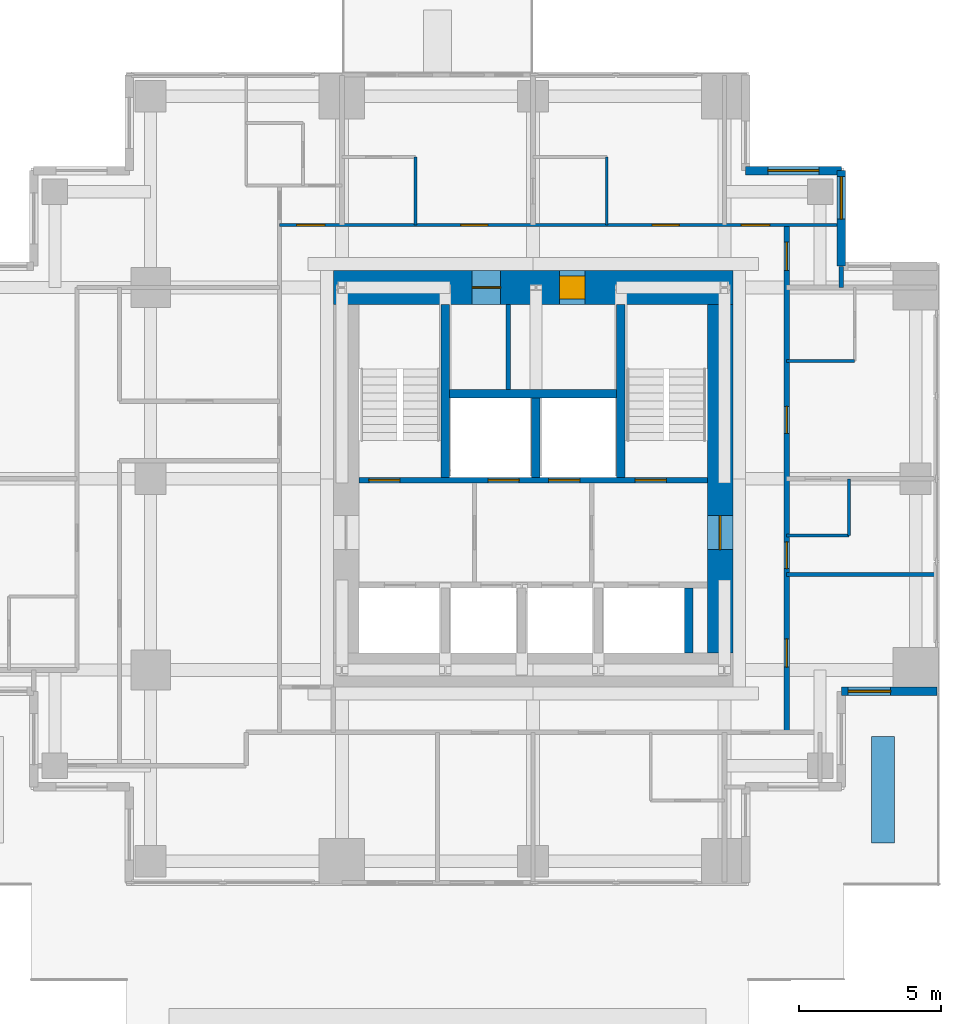
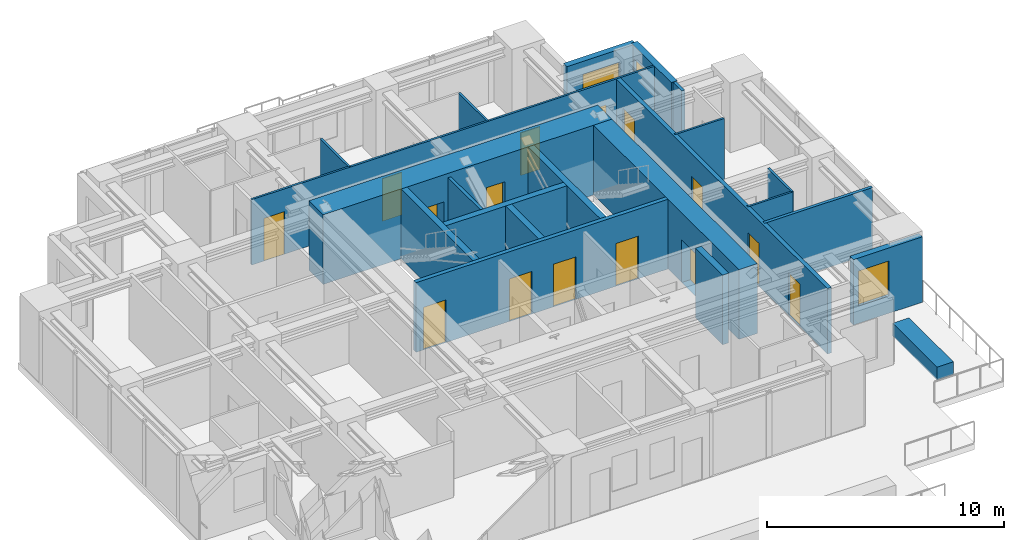
# One storey, part 5 of 7: 22 walls, 15 doors, 3 windows, 18 openings.
"""IFC4 building model written with IfcOpenShell, lengths in metres."""

from ifc_helpers import new_model, si_unit, direction, frame, frame_2d, origin, place, context, subcontext, project, spatial, rectangle, extrude, material, layer, layer_set, type_object, element, fill, save


model = new_model("IFC4")

# Units and contexts
model_context = context("Model", 3, precision=1e-05, world=origin(), true_north=direction((0.0, 1.0)))
body_context = subcontext(model_context, "Body", "Model", "MODEL_VIEW")
ifc_project = project(units=[si_unit("LENGTHUNIT", "METRE"), si_unit("AREAUNIT", "SQUARE_METRE"), si_unit("VOLUMEUNIT", "CUBIC_METRE"), si_unit("PLANEANGLEUNIT", "RADIAN"), si_unit("MASSUNIT", "GRAM", prefix="KILO")], contexts=[model_context])

# Site, building, storey
site_placement = place(None, origin())
site = spatial("IfcSite", under=ifc_project, at=site_placement, CompositionType="ELEMENT")
building_placement = place(site_placement, origin())
building = spatial("IfcBuilding", under=site, at=building_placement, Name="Nyansa Garden Tower", CompositionType="ELEMENT")
storey_placement = place(building_placement, frame((0.0, 0.0, 204.300048828125)))
storey = spatial("IfcBuildingStorey", under=building, at=storey_placement, Name="L55", CompositionType="ELEMENT", Elevation=204.300048828125)

# Wall, openings, doors
ifc_material_1 = material(Name="Concrete C70/85", Category="concrete")
ifc_layer_1 = layer(ifc_material_1, 0.199951171875)
ifc_layer_set_1 = layer_set([ifc_layer_1], Name="Core inner wall CI200")
wall_type_1 = type_object("IfcWallType", Name="Core inner wall CI200", PredefinedType="SHEAR", material=ifc_layer_set_1)
wall_1_placement = place(storey_placement, frame((14.10009765625, 20.199951171875, 0.0), z_axis=(0.0, 0.0, 1.0), x_axis=(1.0, 0.0, 0.0)))
wall_1 = element("IfcWall", 1, at=wall_1_placement, inside=storey, type_object=wall_type_1, Name="Core inner wall L55", PredefinedType="SHEAR", context=body_context, shape_type="SweptSolid", body=[
    extrude(rectangle(XDim=12.2998046875, YDim=0.199951171875, at=frame_2d((6.14990234375, 0.0))), origin(), (0.0, 0.0, 1.0), 3.599853515625),
])
opening_1_placement = place(wall_1_placement, frame((4.56005859375, 0.0, 0.0)))
opening_1 = element("IfcOpeningElement", 2, at=opening_1_placement, cuts=wall_1, Name="Opening LD-B", PredefinedType="OPENING", context=body_context, shape_type="SweptSolid", body=[
    extrude(rectangle(XDim=1.10009765625, YDim=2.199951171875, at=frame_2d((0.550048828125, 1.10009765625))), frame((0.0, 0.10986328125, 0.0), z_axis=(0.0, -1.0, 0.0), x_axis=(1.0, 0.0, 0.0)), (0.0, 0.0, 1.0), 0.219970703125),
])
opening_2_placement = place(wall_1_placement, frame((6.699951171875, 0.0, 0.0)))
opening_2 = element("IfcOpeningElement", 3, at=opening_2_placement, cuts=wall_1, Name="Opening LD-B", PredefinedType="OPENING", context=body_context, shape_type="SweptSolid", body=[
    extrude(rectangle(XDim=1.10009765625, YDim=2.199951171875, at=frame_2d((0.550048828125, 1.10009765625))), frame((0.0, 0.10986328125, 0.0), z_axis=(0.0, -1.0, 0.0), x_axis=(1.0, 0.0, 0.0)), (0.0, 0.0, 1.0), 0.219970703125),
])
opening_3_placement = place(wall_1_placement, frame((0.35009765625, 0.0, 0.0)))
opening_3 = element("IfcOpeningElement", 4, at=opening_3_placement, cuts=wall_1, Name="Opening D05", PredefinedType="OPENING", context=body_context, shape_type="SweptSolid", body=[
    extrude(rectangle(XDim=1.10009765625, YDim=2.199951171875, at=frame_2d((0.550048828125, 1.10009765625))), frame((0.0, 0.10986328125, 0.0), z_axis=(0.0, -1.0, 0.0), x_axis=(1.0, 0.0, 0.0)), (0.0, 0.0, 1.0), 0.219970703125),
])
opening_4_placement = place(wall_1_placement, frame((9.75, 0.0, 0.0)))
opening_4 = element("IfcOpeningElement", 5, at=opening_4_placement, cuts=wall_1, Name="Opening D05", PredefinedType="OPENING", context=body_context, shape_type="SweptSolid", body=[
    extrude(rectangle(XDim=1.10009765625, YDim=2.199951171875, at=frame_2d((0.550048828125, 1.10009765625))), frame((0.0, 0.10986328125, 0.0), z_axis=(0.0, -1.0, 0.0), x_axis=(1.0, 0.0, 0.0)), (0.0, 0.0, 1.0), 0.219970703125),
])
ifc_material_2 = material(Name="Stainless steel centre-opening landing door of the high-rise lift, E 120", Category="steel")
door_type_1 = type_object("IfcDoorType", Name="Lift landing door LD-B 1100x2200", OperationType="DOUBLE_DOOR_SLIDING", PredefinedType="DOOR", material=ifc_material_2)
door_1_placement = place(opening_1_placement, origin())
door_1 = element("IfcDoor", 6, at=door_1_placement, inside=storey, type_object=door_type_1, Name="Landing door B3", OperationType="DOUBLE_DOOR_SLIDING", OverallHeight=2.199951171875, OverallWidth=1.10009765625, PredefinedType="DOOR", context=body_context, shape_type="SweptSolid", body=[
    extrude(rectangle(XDim=1.10009765625, YDim=2.199951171875, at=frame_2d((0.550048828125, 1.10009765625))), frame((0.0, 0.02490234375, 0.0), z_axis=(0.0, -1.0, 0.0), x_axis=(1.0, 0.0, 0.0)), (0.0, 0.0, 1.0), 0.050048828125),
])
fill(opening_1, door_1)
door_2_placement = place(opening_2_placement, origin())
door_2 = element("IfcDoor", 7, at=door_2_placement, inside=storey, type_object=door_type_1, Name="Landing door B4", OperationType="DOUBLE_DOOR_SLIDING", OverallHeight=2.199951171875, OverallWidth=1.10009765625, PredefinedType="DOOR", context=body_context, shape_type="SweptSolid", body=[
    extrude(rectangle(XDim=1.10009765625, YDim=2.199951171875, at=frame_2d((0.550048828125, 1.10009765625))), frame((0.0, 0.02490234375, 0.0), z_axis=(0.0, -1.0, 0.0), x_axis=(1.0, 0.0, 0.0)), (0.0, 0.0, 1.0), 0.050048828125),
])
fill(opening_2, door_2)
ifc_material_3 = material(Name="Steel door, 120 minute fire resisting", Category="steel")
door_type_2 = type_object("IfcDoorType", Name="Stair door D05 1100x2200", OperationType="SINGLE_SWING_LEFT", PredefinedType="DOOR", material=ifc_material_3)
door_3_placement = place(opening_3_placement, origin())
door_3 = element("IfcDoor", 8, at=door_3_placement, inside=storey, type_object=door_type_2, Name="Stair S1 door", OperationType="SINGLE_SWING_LEFT", OverallHeight=2.199951171875, OverallWidth=1.10009765625, PredefinedType="DOOR", context=body_context, shape_type="SweptSolid", body=[
    extrude(rectangle(XDim=1.10009765625, YDim=2.199951171875, at=frame_2d((0.550048828125, 1.10009765625))), frame((0.0, 0.02490234375, 0.0), z_axis=(0.0, -1.0, 0.0), x_axis=(1.0, 0.0, 0.0)), (0.0, 0.0, 1.0), 0.050048828125),
])
fill(opening_3, door_3)
door_4_placement = place(opening_4_placement, origin())
door_4 = element("IfcDoor", 9, at=door_4_placement, inside=storey, type_object=door_type_2, Name="Stair S2 door", OperationType="SINGLE_SWING_LEFT", OverallHeight=2.199951171875, OverallWidth=1.10009765625, PredefinedType="DOOR", context=body_context, shape_type="SweptSolid", body=[
    extrude(rectangle(XDim=1.10009765625, YDim=2.199951171875, at=frame_2d((0.550048828125, 1.10009765625))), frame((0.0, 0.02490234375, 0.0), z_axis=(0.0, -1.0, 0.0), x_axis=(1.0, 0.0, 0.0)), (0.0, 0.0, 1.0), 0.050048828125),
])
fill(opening_4, door_4)

# Walls
ifc_material_4 = material(Name="Concrete C70/85", Category="concrete")
ifc_layer_2 = layer(ifc_material_4, 0.300048828125)
ifc_layer_set_2 = layer_set([ifc_layer_2], Name="Core inner wall CI300")
wall_type_2 = type_object("IfcWallType", Name="Core inner wall CI300", PredefinedType="SHEAR", material=ifc_layer_set_2)
for number, where, z_axis, x_axis, name in (
    (10, (17.14990234375, 20.300048828125, 0.0), (0.0, 0.0, 1.0), (0.0, 1.0, 0.0), "Core inner wall L55"),
    (11, (23.35009765625, 20.300048828125, 0.0), (0.0, 0.0, 1.0), (0.0, 1.0, 0.0), "Core inner wall L55"),
):
    element("IfcWall", number, at=place(storey_placement, frame(where, z_axis=z_axis, x_axis=x_axis)), inside=storey, type_object=wall_type_2, Name=name, PredefinedType="SHEAR", context=body_context, shape_type="SweptSolid", body=[
        extrude(rectangle(XDim=6.099853515625, YDim=0.300048828125, at=frame_2d((3.0498046875, 0.0))), origin(), (0.0, 0.0, 1.0), 3.599853515625),
    ])
wall_2_placement = place(storey_placement, frame((20.35009765625, 20.300048828125, 0.0), z_axis=(0.0, 0.0, 1.0), x_axis=(0.0, 1.0, 0.0)))
element("IfcWall", 12, at=wall_2_placement, inside=storey, type_object=wall_type_2, Name="Core inner wall L55", PredefinedType="SHEAR", context=body_context, shape_type="SweptSolid", body=[
    extrude(rectangle(XDim=2.800048828125, YDim=0.300048828125, at=frame_2d((1.39990234375, 0.0))), origin(), (0.0, 0.0, 1.0), 3.599853515625),
])
wall_3_placement = place(storey_placement, frame((17.300048828125, 23.25, 0.0), z_axis=(0.0, 0.0, 1.0), x_axis=(1.0, 0.0, 0.0)))
element("IfcWall", 13, at=wall_3_placement, inside=storey, type_object=wall_type_2, Name="Core inner wall L55", PredefinedType="SHEAR", context=body_context, shape_type="SweptSolid", body=[
    extrude(rectangle(XDim=5.89990234375, YDim=0.300048828125, at=frame_2d((2.949951171875, 0.0))), origin(), (0.0, 0.0, 1.0), 3.599853515625),
])
wall_4_placement = place(storey_placement, frame((25.75, 14.10009765625, 0.0), z_axis=(0.0, 0.0, 1.0), x_axis=(0.0, 1.0, 0.0)))
element("IfcWall", 14, at=wall_4_placement, inside=storey, type_object=wall_type_2, Name="Core inner wall L55", PredefinedType="SHEAR", context=body_context, shape_type="SweptSolid", body=[
    extrude(rectangle(XDim=2.2998046875, YDim=0.300048828125, at=frame_2d((1.14990234375, 0.0))), origin(), (0.0, 0.0, 1.0), 3.599853515625),
])

# Wall, openings, doors
ifc_material_5 = material(Name="Concrete C80/95", Category="concrete")
ifc_layer_3 = layer(ifc_material_5, 1.199951171875)
ifc_layer_set_3 = layer_set([ifc_layer_3], Name="Core wall CW1200")
wall_type_3 = type_object("IfcWallType", Name="Core wall CW1200", PredefinedType="SHEAR", material=ifc_layer_set_3)
wall_5_placement = place(storey_placement, frame((27.300048828125, 27.0, 0.0), z_axis=(0.0, 0.0, 1.0), x_axis=(-1.0, 0.0, 0.0)))
wall_5 = element("IfcWall", 15, at=wall_5_placement, inside=storey, type_object=wall_type_3, Name="Core wall N L55", PredefinedType="SHEAR", context=body_context, shape_type="SweptSolid", body=[
    extrude(rectangle(XDim=14.10009765625, YDim=1.199951171875, at=frame_2d((7.050048828125, 0.0))), origin(), (0.0, 0.0, 1.0), 3.599853515625),
])
opening_5_placement = place(wall_5_placement, frame((5.22509765625, 0.0, 0.0)))
opening_5 = element("IfcOpeningElement", 16, at=opening_5_placement, cuts=wall_5, Name="Opening D15", PredefinedType="OPENING", context=body_context, shape_type="SweptSolid", body=[
    extrude(rectangle(XDim=0.89990234375, YDim=2.199951171875, at=frame_2d((0.449951171875, 1.10009765625))), frame((0.0, 0.60986328125, 0.0), z_axis=(0.0, -1.0, 0.0), x_axis=(1.0, 0.0, 0.0)), (0.0, 0.0, 1.0), 1.219970703125),
])
opening_6_placement = place(wall_5_placement, frame((8.199951171875, 0.0, 0.0)))
opening_6 = element("IfcOpeningElement", 17, at=opening_6_placement, cuts=wall_5, Name="Opening D07", PredefinedType="OPENING", context=body_context, shape_type="SweptSolid", body=[
    extrude(rectangle(XDim=1.0, YDim=2.199951171875, at=frame_2d((0.5, 1.10009765625))), frame((0.0, 0.60986328125, 0.0), z_axis=(0.0, -1.0, 0.0), x_axis=(1.0, 0.0, 0.0)), (0.0, 0.0, 1.0), 1.219970703125),
])
ifc_material_6 = material(Name="Timber flush door, 60 minute fire resisting, self-closing", Category="wood")
door_type_3 = type_object("IfcDoorType", Name="Core room door D15 900x2200", OperationType="SINGLE_SWING_LEFT", PredefinedType="DOOR", material=ifc_material_6)
door_5_placement = place(opening_5_placement, origin())
door_5 = element("IfcDoor", 18, at=door_5_placement, inside=storey, type_object=door_type_3, Name="Core room door", OperationType="SINGLE_SWING_LEFT", OverallHeight=2.199951171875, OverallWidth=0.89990234375, PredefinedType="DOOR", context=body_context, shape_type="SweptSolid", body=[
    extrude(rectangle(XDim=0.89990234375, YDim=2.199951171875, at=frame_2d((0.449951171875, 1.10009765625))), frame((0.0, 0.39990234375, 0.0), z_axis=(0.0, -1.0, 0.0), x_axis=(1.0, 0.0, 0.0)), (0.0, 0.0, 1.0), 0.800048828125),
])
fill(opening_5, door_5)
ifc_material_7 = material(Name="Steel door, 120 minute fire resisting", Category="steel")
door_type_4 = type_object("IfcDoorType", Name="Riser door D07 1000x2200", OperationType="SINGLE_SWING_LEFT", PredefinedType="DOOR", material=ifc_material_7)
door_6_placement = place(opening_6_placement, origin())
door_6 = element("IfcDoor", 19, at=door_6_placement, inside=storey, type_object=door_type_4, Name="Riser and refuse room door", OperationType="SINGLE_SWING_LEFT", OverallHeight=2.199951171875, OverallWidth=1.0, PredefinedType="DOOR", context=body_context, shape_type="SweptSolid", body=[
    extrude(rectangle(XDim=1.0, YDim=2.199951171875, at=frame_2d((0.5, 1.10009765625))), frame((0.0, 0.02490234375, 0.0), z_axis=(0.0, -1.0, 0.0), x_axis=(1.0, 0.0, 0.0)), (0.0, 0.0, 1.0), 0.050048828125),
])
fill(opening_6, door_6)

# Wall, opening, door
ifc_material_8 = material(Name="Concrete C80/95", Category="concrete")
ifc_layer_4 = layer(ifc_material_8, 0.89990234375)
ifc_layer_set_4 = layer_set([ifc_layer_4], Name="Core wall CW900")
wall_type_4 = type_object("IfcWallType", Name="Core wall CW900", PredefinedType="SHEAR", material=ifc_layer_set_4)
wall_6_placement = place(storey_placement, frame((26.85009765625, 14.10009765625, 0.0), z_axis=(0.0, 0.0, 1.0), x_axis=(0.0, 1.0, 0.0)))
wall_6 = element("IfcWall", 20, at=wall_6_placement, inside=storey, type_object=wall_type_4, Name="Core wall E L55", PredefinedType="SHEAR", context=body_context, shape_type="SweptSolid", body=[
    extrude(rectangle(XDim=12.2998046875, YDim=0.89990234375, at=frame_2d((6.14990234375, 0.0))), origin(), (0.0, 0.0, 1.0), 3.599853515625),
])
opening_7_placement = place(wall_6_placement, frame((3.64990234375, 0.0, 0.0)))
opening_7 = element("IfcOpeningElement", 21, at=opening_7_placement, cuts=wall_6, Name="Opening D06", PredefinedType="OPENING", context=body_context, shape_type="SweptSolid", body=[
    extrude(rectangle(XDim=1.199951171875, YDim=2.199951171875, at=frame_2d((0.60009765625, 1.10009765625))), frame((0.0, 0.4599609375, 0.0), z_axis=(0.0, -1.0, 0.0), x_axis=(1.0, 0.0, 0.0)), (0.0, 0.0, 1.0), 0.919921875),
])
ifc_material_9 = material(Name="Steel door, 120 minute fire resisting", Category="steel")
door_type_5 = type_object("IfcDoorType", Name="Lobby door D06 1200x2200", OperationType="DOUBLE_DOOR_SINGLE_SWING", PredefinedType="DOOR", material=ifc_material_9)
door_7_placement = place(opening_7_placement, origin())
door_7 = element("IfcDoor", 22, at=door_7_placement, inside=storey, type_object=door_type_5, Name="Lift lobby door east", OperationType="DOUBLE_DOOR_SINGLE_SWING", OverallHeight=2.199951171875, OverallWidth=1.199951171875, PredefinedType="DOOR", context=body_context, shape_type="SweptSolid", body=[
    extrude(rectangle(XDim=1.199951171875, YDim=2.199951171875, at=frame_2d((0.60009765625, 1.10009765625))), frame((0.0, 0.02490234375, 0.0), z_axis=(0.0, -1.0, 0.0), x_axis=(1.0, 0.0, 0.0)), (0.0, 0.0, 1.0), 0.050048828125),
])
fill(opening_7, door_7)

# Wall, openings, doors
ifc_material_10 = material(Name="Concrete blockwork, plastered, 60 minute fire resisting", Category="masonry")
ifc_layer_5 = layer(ifc_material_10, 0.199951171875)
ifc_layer_set_5 = layer_set([ifc_layer_5], Name="Corridor wall FW200")
wall_type_5 = type_object("IfcWallType", Name="Corridor wall FW200", PredefinedType="PARTITIONING", material=ifc_layer_set_5)
wall_7_placement = place(storey_placement, frame((29.199951171875, 11.300048828125, 0.0), z_axis=(0.0, 0.0, 1.0), x_axis=(0.0, 1.0, 0.0)))
wall_7 = element("IfcWall", 23, at=wall_7_placement, inside=storey, type_object=wall_type_5, Name="Corridor wall", PredefinedType="PARTITIONING", context=body_context, shape_type="SweptSolid", body=[
    extrude(rectangle(XDim=17.89990234375, YDim=0.199951171875, at=frame_2d((8.949951171875, 0.0))), origin(), (0.0, 0.0, 1.0), 3.375),
])
opening_8_placement = place(wall_7_placement, frame((2.300048828125, 0.0, 0.0)))
opening_8 = element("IfcOpeningElement", 24, at=opening_8_placement, cuts=wall_7, Name="Opening D03", PredefinedType="OPENING", context=body_context, shape_type="SweptSolid", body=[
    extrude(rectangle(XDim=1.0, YDim=2.199951171875, at=frame_2d((0.5, 1.10009765625))), frame((0.0, 0.10986328125, 0.0), z_axis=(0.0, -1.0, 0.0), x_axis=(1.0, 0.0, 0.0)), (0.0, 0.0, 1.0), 0.219970703125),
])
opening_9_placement = place(wall_7_placement, frame((10.550048828125, 0.0, 0.0)))
opening_9 = element("IfcOpeningElement", 25, at=opening_9_placement, cuts=wall_7, Name="Opening D14", PredefinedType="OPENING", context=body_context, shape_type="SweptSolid", body=[
    extrude(rectangle(XDim=0.949951171875, YDim=2.199951171875, at=frame_2d((0.47509765625, 1.10009765625))), frame((0.0, 0.10986328125, 0.0), z_axis=(0.0, -1.0, 0.0), x_axis=(1.0, 0.0, 0.0)), (0.0, 0.0, 1.0), 0.219970703125),
])
opening_10_placement = place(wall_7_placement, frame((5.77490234375, 0.0, 0.0)))
opening_10 = element("IfcOpeningElement", 26, at=opening_10_placement, cuts=wall_7, Name="Opening D14", PredefinedType="OPENING", context=body_context, shape_type="SweptSolid", body=[
    extrude(rectangle(XDim=0.949951171875, YDim=2.199951171875, at=frame_2d((0.47509765625, 1.10009765625))), frame((0.0, 0.10986328125, 0.0), z_axis=(0.0, -1.0, 0.0), x_axis=(1.0, 0.0, 0.0)), (0.0, 0.0, 1.0), 0.219970703125),
])
opening_11_placement = place(wall_7_placement, frame((16.300048828125, 0.0, 0.0)))
opening_11 = element("IfcOpeningElement", 27, at=opening_11_placement, cuts=wall_7, Name="Opening D03", PredefinedType="OPENING", context=body_context, shape_type="SweptSolid", body=[
    extrude(rectangle(XDim=1.0, YDim=2.199951171875, at=frame_2d((0.5, 1.10009765625))), frame((0.0, 0.10986328125, 0.0), z_axis=(0.0, -1.0, 0.0), x_axis=(1.0, 0.0, 0.0)), (0.0, 0.0, 1.0), 0.219970703125),
])
ifc_material_11 = material(Name="Timber flush door, 60 minute fire resisting", Category="wood")
door_type_6 = type_object("IfcDoorType", Name="Cluster entrance door D03 1000x2200", OperationType="SINGLE_SWING_LEFT", PredefinedType="DOOR", material=ifc_material_11)
door_8_placement = place(opening_8_placement, origin())
door_8 = element("IfcDoor", 28, at=door_8_placement, inside=storey, type_object=door_type_6, Name="Door L55-023", OperationType="SINGLE_SWING_LEFT", OverallHeight=2.199951171875, OverallWidth=1.0, PredefinedType="DOOR", context=body_context, shape_type="SweptSolid", body=[
    extrude(rectangle(XDim=1.0, YDim=2.199951171875, at=frame_2d((0.5, 1.10009765625))), frame((0.0, 0.02490234375, 0.0), z_axis=(0.0, -1.0, 0.0), x_axis=(1.0, 0.0, 0.0)), (0.0, 0.0, 1.0), 0.050048828125),
])
fill(opening_8, door_8)
door_9_placement = place(opening_11_placement, origin())
door_9 = element("IfcDoor", 29, at=door_9_placement, inside=storey, type_object=door_type_6, Name="Door L55-028", OperationType="SINGLE_SWING_LEFT", OverallHeight=2.199951171875, OverallWidth=1.0, PredefinedType="DOOR", context=body_context, shape_type="SweptSolid", body=[
    extrude(rectangle(XDim=1.0, YDim=2.199951171875, at=frame_2d((0.5, 1.10009765625))), frame((0.0, 0.02490234375, 0.0), z_axis=(0.0, -1.0, 0.0), x_axis=(1.0, 0.0, 0.0)), (0.0, 0.0, 1.0), 0.050048828125),
])
fill(opening_11, door_9)
ifc_material_12 = material(Name="Timber flush door, 60 minute fire resisting, self-closing", Category="wood")
door_type_7 = type_object("IfcDoorType", Name="Studio entrance door D14 950x2200", OperationType="SINGLE_SWING_LEFT", PredefinedType="DOOR", material=ifc_material_12)
door_10_placement = place(opening_9_placement, origin())
door_10 = element("IfcDoor", 30, at=door_10_placement, inside=storey, type_object=door_type_7, Name="Door L55-024", OperationType="SINGLE_SWING_LEFT", OverallHeight=2.199951171875, OverallWidth=0.949951171875, PredefinedType="DOOR", context=body_context, shape_type="SweptSolid", body=[
    extrude(rectangle(XDim=0.949951171875, YDim=2.199951171875, at=frame_2d((0.47509765625, 1.10009765625))), frame((0.0, 0.02490234375, 0.0), z_axis=(0.0, -1.0, 0.0), x_axis=(1.0, 0.0, 0.0)), (0.0, 0.0, 1.0), 0.050048828125),
])
fill(opening_9, door_10)
door_11_placement = place(opening_10_placement, origin())
door_11 = element("IfcDoor", 31, at=door_11_placement, inside=storey, type_object=door_type_7, Name="Door L55-026", OperationType="SINGLE_SWING_LEFT", OverallHeight=2.199951171875, OverallWidth=0.949951171875, PredefinedType="DOOR", context=body_context, shape_type="SweptSolid", body=[
    extrude(rectangle(XDim=0.949951171875, YDim=2.199951171875, at=frame_2d((0.47509765625, 1.10009765625))), frame((0.0, 0.02490234375, 0.0), z_axis=(0.0, -1.0, 0.0), x_axis=(1.0, 0.0, 0.0)), (0.0, 0.0, 1.0), 0.050048828125),
])
fill(opening_10, door_11)

# Walls
ifc_material_13 = material(Name="Blockwork, plastered both sides", Category="masonry")
ifc_layer_6 = layer(ifc_material_13, 0.14990234375)
ifc_layer_set_6 = layer_set([ifc_layer_6], Name="Partition PW150")
wall_type_6 = type_object("IfcWallType", Name="Partition PW150", PredefinedType="PARTITIONING", material=ifc_layer_set_6)
wall_8_placement = place(storey_placement, frame((19.375, 23.39990234375, 0.0), z_axis=(0.0, 0.0, 1.0), x_axis=(0.0, 1.0, 0.0)))
element("IfcWall", 32, at=wall_8_placement, inside=storey, type_object=wall_type_6, Name="Partition", PredefinedType="PARTITIONING", context=body_context, shape_type="SweptSolid", body=[
    extrude(rectangle(XDim=3.0, YDim=0.14990234375, at=frame_2d((1.5, 0.0))), origin(), (0.0, 0.0, 1.0), 3.375),
])
wall_9_placement = place(storey_placement, frame((29.199951171875, 16.875, 0.0), z_axis=(0.0, 0.0, 1.0), x_axis=(1.0, 0.0, 0.0)))
element("IfcWall", 33, at=wall_9_placement, inside=storey, type_object=wall_type_6, Name="Partition", PredefinedType="PARTITIONING", context=body_context, shape_type="SweptSolid", body=[
    extrude(rectangle(XDim=5.283935546875, YDim=0.14990234375, at=frame_2d((2.64208984375, 0.0))), origin(), (0.0, 0.0, 1.0), 3.375),
])
wall_10_placement = place(storey_placement, frame((31.125, 27.0, 0.0), z_axis=(0.0, 0.0, 1.0), x_axis=(0.0, 1.0, 0.0)))
element("IfcWall", 34, at=wall_10_placement, inside=storey, type_object=wall_type_6, Name="Partition", PredefinedType="PARTITIONING", context=body_context, shape_type="SweptSolid", body=[
    extrude(rectangle(XDim=0.73388671875, YDim=0.14990234375, at=frame_2d((0.366943359375, 0.0))), origin(), (0.0, 0.0, 1.0), 3.375),
])
ifc_material_14 = material(Name="Concrete C40/50 planter, waterproofed", Category="concrete")
ifc_layer_7 = layer(ifc_material_14, 0.800048828125)
ifc_layer_set_7 = layer_set([ifc_layer_7], Name="Terrace planter TP2")
wall_type_7 = type_object("IfcWallType", Name="Terrace planter TP2", PredefinedType="USERDEFINED", material=ifc_layer_set_7)
wall_11_placement = place(storey_placement, frame((32.60009765625, 11.14990234375, -0.06005859375), z_axis=(0.0, 0.0, 1.0), x_axis=(0.0, -1.0, 0.0)))
element("IfcWall", 35, at=wall_11_placement, inside=storey, type_object=wall_type_7, Name="Terrace planter L55", ObjectType="TERRACE PLANTER", PredefinedType="USERDEFINED", context=body_context, shape_type="SweptSolid", body=[
    extrude(rectangle(XDim=3.75, YDim=0.800048828125, at=frame_2d((1.875, 0.0))), origin(), (0.0, 0.0, 1.0), 0.659912109375),
])

# Wall, opening, window
ifc_material_15 = material(Name="Turquoise glazed tile on concrete blockwork", Category="masonry")
ifc_layer_8 = layer(ifc_material_15, 0.300048828125)
ifc_layer_set_8 = layer_set([ifc_layer_8], Name="Tiled corner wall TW300")
wall_type_8 = type_object("IfcWallType", Name="Tiled corner wall TW300", PredefinedType="SOLIDWALL", material=ifc_layer_set_8)
wall_12_placement = place(storey_placement, frame((31.125, 27.75, 0.0), z_axis=(0.0, 0.0, 1.0), x_axis=(0.0, 1.0, 0.0)))
wall_12 = element("IfcWall", 36, at=wall_12_placement, inside=storey, type_object=wall_type_8, Name="Tiled corner wall L55", PredefinedType="SOLIDWALL", context=body_context, shape_type="SweptSolid", body=[
    extrude(rectangle(XDim=3.375, YDim=0.300048828125, at=frame_2d((1.6875, 0.0))), origin(), (0.0, 0.0, 1.0), 3.375),
])
opening_12_placement = place(wall_12_placement, frame((1.66259765625, 0.0, 0.89990234375)))
opening_12 = element("IfcOpeningElement", 37, at=opening_12_placement, cuts=wall_12, Name="Opening W1", PredefinedType="OPENING", context=body_context, shape_type="SweptSolid", body=[
    extrude(rectangle(XDim=1.5, YDim=1.800048828125, at=frame_2d((0.75, 0.89990234375))), frame((0.0, 0.159912109375, 0.0), z_axis=(0.0, -1.0, 0.0), x_axis=(1.0, 0.0, 0.0)), (0.0, 0.0, 1.0), 0.320068359375),
])
ifc_material_16 = material(Name="Black aluminium frame, dark tinted double glazing", Category="aluminium")
window_type_1 = type_object("IfcWindowType", Name="Window W1 1500x1800", PartitioningType="SINGLE_PANEL", PredefinedType="WINDOW", material=ifc_material_16)
window_1_placement = place(opening_12_placement, origin())
window_1 = element("IfcWindow", 38, at=window_1_placement, inside=storey, type_object=window_type_1, Name="Corner window L55", OverallHeight=1.800048828125, OverallWidth=1.5, PartitioningType="SINGLE_PANEL", PredefinedType="WINDOW", context=body_context, shape_type="SweptSolid", body=[
    extrude(rectangle(XDim=1.5, YDim=1.800048828125, at=frame_2d((0.75, 0.89990234375))), frame((0.0, 0.030029296875, 0.0), z_axis=(0.0, -1.0, 0.0), x_axis=(1.0, 0.0, 0.0)), (0.0, 0.0, 1.0), 0.06005859375),
])
fill(opening_12, window_1)

wall_13_placement = place(storey_placement, frame((31.125, 31.125, 0.0), z_axis=(0.0, 0.0, 1.0), x_axis=(-1.0, 0.0, 0.0)))
wall_13 = element("IfcWall", 39, at=wall_13_placement, inside=storey, type_object=wall_type_8, Name="Tiled corner wall L55", PredefinedType="SOLIDWALL", context=body_context, shape_type="SweptSolid", body=[
    extrude(rectangle(XDim=3.375, YDim=0.300048828125, at=frame_2d((1.6875, 0.0))), origin(), (0.0, 0.0, 1.0), 3.375),
])
opening_13_placement = place(wall_13_placement, frame((0.78759765625, 0.0, 0.60009765625)))
opening_13 = element("IfcOpeningElement", 40, at=opening_13_placement, cuts=wall_13, Name="Opening W2", PredefinedType="OPENING", context=body_context, shape_type="SweptSolid", body=[
    extrude(rectangle(XDim=1.800048828125, YDim=2.10009765625, at=frame_2d((0.89990234375, 1.050048828125))), frame((0.0, 0.159912109375, 0.0), z_axis=(0.0, -1.0, 0.0), x_axis=(1.0, 0.0, 0.0)), (0.0, 0.0, 1.0), 0.320068359375),
])
ifc_material_17 = material(Name="Black aluminium frame, dark tinted double glazing", Category="aluminium")
window_type_2 = type_object("IfcWindowType", Name="Window W2 1800x2100", PartitioningType="SINGLE_PANEL", PredefinedType="WINDOW", material=ifc_material_17)
window_2_placement = place(opening_13_placement, origin())
window_2 = element("IfcWindow", 41, at=window_2_placement, inside=storey, type_object=window_type_2, Name="Corner window L55", OverallHeight=2.10009765625, OverallWidth=1.800048828125, PartitioningType="SINGLE_PANEL", PredefinedType="WINDOW", context=body_context, shape_type="SweptSolid", body=[
    extrude(rectangle(XDim=1.800048828125, YDim=2.10009765625, at=frame_2d((0.89990234375, 1.050048828125))), frame((0.0, 0.030029296875, 0.0), z_axis=(0.0, -1.0, 0.0), x_axis=(1.0, 0.0, 0.0)), (0.0, 0.0, 1.0), 0.06005859375),
])
fill(opening_13, window_2)

wall_14_placement = place(storey_placement, frame((31.125, 12.75, 0.0), z_axis=(0.0, 0.0, 1.0), x_axis=(1.0, 0.0, 0.0)))
wall_14 = element("IfcWall", 42, at=wall_14_placement, inside=storey, type_object=wall_type_8, Name="Tiled corner wall L55", PredefinedType="SOLIDWALL", context=body_context, shape_type="SweptSolid", body=[
    extrude(rectangle(XDim=3.375, YDim=0.300048828125, at=frame_2d((1.6875, 0.0))), origin(), (0.0, 0.0, 1.0), 3.375),
])
opening_14_placement = place(wall_14_placement, frame((0.242431640625, 0.0, 0.89990234375)))
opening_14 = element("IfcOpeningElement", 43, at=opening_14_placement, cuts=wall_14, Name="Opening W1", PredefinedType="OPENING", context=body_context, shape_type="SweptSolid", body=[
    extrude(rectangle(XDim=1.5, YDim=1.800048828125, at=frame_2d((0.75, 0.89990234375))), frame((0.0, 0.159912109375, 0.0), z_axis=(0.0, -1.0, 0.0), x_axis=(1.0, 0.0, 0.0)), (0.0, 0.0, 1.0), 0.320068359375),
])
window_3_placement = place(opening_14_placement, origin())
window_3 = element("IfcWindow", 44, at=window_3_placement, inside=storey, type_object=window_type_1, Name="Corner window L55", OverallHeight=1.800048828125, OverallWidth=1.5, PartitioningType="SINGLE_PANEL", PredefinedType="WINDOW", context=body_context, shape_type="SweptSolid", body=[
    extrude(rectangle(XDim=1.5, YDim=1.800048828125, at=frame_2d((0.75, 0.89990234375))), frame((0.0, 0.030029296875, 0.0), z_axis=(0.0, -1.0, 0.0), x_axis=(1.0, 0.0, 0.0)), (0.0, 0.0, 1.0), 0.06005859375),
])
fill(opening_14, window_3)

# Wall, openings, doors
ifc_material_18 = material(Name="Moisture resistant board on steel studs, tiled", Category="steel")
ifc_layer_9 = layer(ifc_material_18, 0.10009765625)
ifc_layer_set_9 = layer_set([ifc_layer_9], Name="Wet wall PW100")
wall_type_9 = type_object("IfcWallType", Name="Wet wall PW100", PredefinedType="PARTITIONING", material=ifc_layer_set_9)
wall_15_placement = place(storey_placement, frame((11.300048828125, 29.199951171875, 0.0), z_axis=(0.0, 0.0, 1.0), x_axis=(1.0, 0.0, 0.0)))
wall_15 = element("IfcWall", 45, at=wall_15_placement, inside=storey, type_object=wall_type_9, Name="Wet wall", PredefinedType="PARTITIONING", context=body_context, shape_type="SweptSolid", body=[
    extrude(rectangle(XDim=19.808837890625, YDim=0.10009765625, at=frame_2d((9.904296875, 0.0))), origin(), (0.0, 0.0, 1.0), 3.375),
])
opening_15_placement = place(wall_15_placement, frame((16.300048828125, 0.0, 0.0)))
opening_15 = element("IfcOpeningElement", 46, at=opening_15_placement, cuts=wall_15, Name="Opening D03", PredefinedType="OPENING", context=body_context, shape_type="SweptSolid", body=[
    extrude(rectangle(XDim=1.0, YDim=2.199951171875, at=frame_2d((0.5, 1.10009765625))), frame((0.0, 0.06005859375, 0.0), z_axis=(0.0, -1.0, 0.0), x_axis=(1.0, 0.0, 0.0)), (0.0, 0.0, 1.0), 0.1201171875),
])
opening_16_placement = place(wall_15_placement, frame((6.39990234375, 0.0, 0.0)))
opening_16 = element("IfcOpeningElement", 47, at=opening_16_placement, cuts=wall_15, Name="Opening D14", PredefinedType="OPENING", context=body_context, shape_type="SweptSolid", body=[
    extrude(rectangle(XDim=0.949951171875, YDim=2.199951171875, at=frame_2d((0.47509765625, 1.10009765625))), frame((0.0, 0.06005859375, 0.0), z_axis=(0.0, -1.0, 0.0), x_axis=(1.0, 0.0, 0.0)), (0.0, 0.0, 1.0), 0.1201171875),
])
opening_17_placement = place(wall_15_placement, frame((13.14990234375, 0.0, 0.0)))
opening_17 = element("IfcOpeningElement", 48, at=opening_17_placement, cuts=wall_15, Name="Opening D14", PredefinedType="OPENING", context=body_context, shape_type="SweptSolid", body=[
    extrude(rectangle(XDim=0.949951171875, YDim=2.199951171875, at=frame_2d((0.47509765625, 1.10009765625))), frame((0.0, 0.06005859375, 0.0), z_axis=(0.0, -1.0, 0.0), x_axis=(1.0, 0.0, 0.0)), (0.0, 0.0, 1.0), 0.1201171875),
])
opening_18_placement = place(wall_15_placement, frame((0.60009765625, 0.0, 0.0)))
opening_18 = element("IfcOpeningElement", 49, at=opening_18_placement, cuts=wall_15, Name="Opening D03", PredefinedType="OPENING", context=body_context, shape_type="SweptSolid", body=[
    extrude(rectangle(XDim=1.0, YDim=2.199951171875, at=frame_2d((0.5, 1.10009765625))), frame((0.0, 0.06005859375, 0.0), z_axis=(0.0, -1.0, 0.0), x_axis=(1.0, 0.0, 0.0)), (0.0, 0.0, 1.0), 0.1201171875),
])
door_12_placement = place(opening_15_placement, origin())
door_12 = element("IfcDoor", 50, at=door_12_placement, inside=storey, type_object=door_type_6, Name="Door L55-029", OperationType="SINGLE_SWING_LEFT", OverallHeight=2.199951171875, OverallWidth=1.0, PredefinedType="DOOR", context=body_context, shape_type="SweptSolid", body=[
    extrude(rectangle(XDim=1.0, YDim=2.199951171875, at=frame_2d((0.5, 1.10009765625))), frame((0.0, 0.02490234375, 0.0), z_axis=(0.0, -1.0, 0.0), x_axis=(1.0, 0.0, 0.0)), (0.0, 0.0, 1.0), 0.050048828125),
])
fill(opening_15, door_12)
door_13_placement = place(opening_18_placement, origin())
door_13 = element("IfcDoor", 51, at=door_13_placement, inside=storey, type_object=door_type_6, Name="Door L55-036", OperationType="SINGLE_SWING_LEFT", OverallHeight=2.199951171875, OverallWidth=1.0, PredefinedType="DOOR", context=body_context, shape_type="SweptSolid", body=[
    extrude(rectangle(XDim=1.0, YDim=2.199951171875, at=frame_2d((0.5, 1.10009765625))), frame((0.0, 0.02490234375, 0.0), z_axis=(0.0, -1.0, 0.0), x_axis=(1.0, 0.0, 0.0)), (0.0, 0.0, 1.0), 0.050048828125),
])
fill(opening_18, door_13)
door_14_placement = place(opening_16_placement, origin())
door_14 = element("IfcDoor", 52, at=door_14_placement, inside=storey, type_object=door_type_7, Name="Door L55-030", OperationType="SINGLE_SWING_LEFT", OverallHeight=2.199951171875, OverallWidth=0.949951171875, PredefinedType="DOOR", context=body_context, shape_type="SweptSolid", body=[
    extrude(rectangle(XDim=0.949951171875, YDim=2.199951171875, at=frame_2d((0.47509765625, 1.10009765625))), frame((0.0, 0.02490234375, 0.0), z_axis=(0.0, -1.0, 0.0), x_axis=(1.0, 0.0, 0.0)), (0.0, 0.0, 1.0), 0.050048828125),
])
fill(opening_16, door_14)
door_15_placement = place(opening_17_placement, origin())
door_15 = element("IfcDoor", 53, at=door_15_placement, inside=storey, type_object=door_type_7, Name="Door L55-032", OperationType="SINGLE_SWING_LEFT", OverallHeight=2.199951171875, OverallWidth=0.949951171875, PredefinedType="DOOR", context=body_context, shape_type="SweptSolid", body=[
    extrude(rectangle(XDim=0.949951171875, YDim=2.199951171875, at=frame_2d((0.47509765625, 1.10009765625))), frame((0.0, 0.02490234375, 0.0), z_axis=(0.0, -1.0, 0.0), x_axis=(1.0, 0.0, 0.0)), (0.0, 0.0, 1.0), 0.050048828125),
])
fill(opening_17, door_15)

# Walls
for number, where, z_axis, x_axis, name in (
    (54, (16.10009765625, 29.199951171875, 0.0), (0.0, 0.0, 1.0), (0.0, 1.0, 0.0), "Wet wall"),
    (55, (22.85009765625, 29.199951171875, 0.0), (0.0, 0.0, 1.0), (0.0, 1.0, 0.0), "Wet wall"),
):
    element("IfcWall", number, at=place(storey_placement, frame(where, z_axis=z_axis, x_axis=x_axis)), inside=storey, type_object=wall_type_9, Name=name, PredefinedType="PARTITIONING", context=body_context, shape_type="SweptSolid", body=[
        extrude(rectangle(XDim=2.400146484375, YDim=0.10009765625, at=frame_2d((1.2001953125, 0.0))), origin(), (0.0, 0.0, 1.0), 3.375),
    ])
wall_16_placement = place(storey_placement, frame((29.199951171875, 18.25, 0.0), z_axis=(0.0, 0.0, 1.0), x_axis=(1.0, 0.0, 0.0)))
element("IfcWall", 56, at=wall_16_placement, inside=storey, type_object=wall_type_9, Name="Wet wall", PredefinedType="PARTITIONING", context=body_context, shape_type="SweptSolid", body=[
    extrude(rectangle(XDim=2.199951171875, YDim=0.10009765625, at=frame_2d((1.10009765625, 0.0))), origin(), (0.0, 0.0, 1.0), 3.375),
])
wall_17_placement = place(storey_placement, frame((29.199951171875, 24.39990234375, 0.0), z_axis=(0.0, 0.0, 1.0), x_axis=(1.0, 0.0, 0.0)))
element("IfcWall", 57, at=wall_17_placement, inside=storey, type_object=wall_type_9, Name="Wet wall", PredefinedType="PARTITIONING", context=body_context, shape_type="SweptSolid", body=[
    extrude(rectangle(XDim=2.400146484375, YDim=0.10009765625, at=frame_2d((1.2001953125, 0.0))), origin(), (0.0, 0.0, 1.0), 3.375),
])
wall_18_placement = place(storey_placement, frame((31.39990234375, 18.25, 0.0), z_axis=(0.0, 0.0, 1.0), x_axis=(0.0, 1.0, 0.0)))
element("IfcWall", 58, at=wall_18_placement, inside=storey, type_object=wall_type_9, Name="Wet wall", PredefinedType="PARTITIONING", context=body_context, shape_type="SweptSolid", body=[
    extrude(rectangle(XDim=2.0, YDim=0.10009765625, at=frame_2d((1.0, 0.0))), origin(), (0.0, 0.0, 1.0), 3.375),
])

save(model, "model.ifc")
